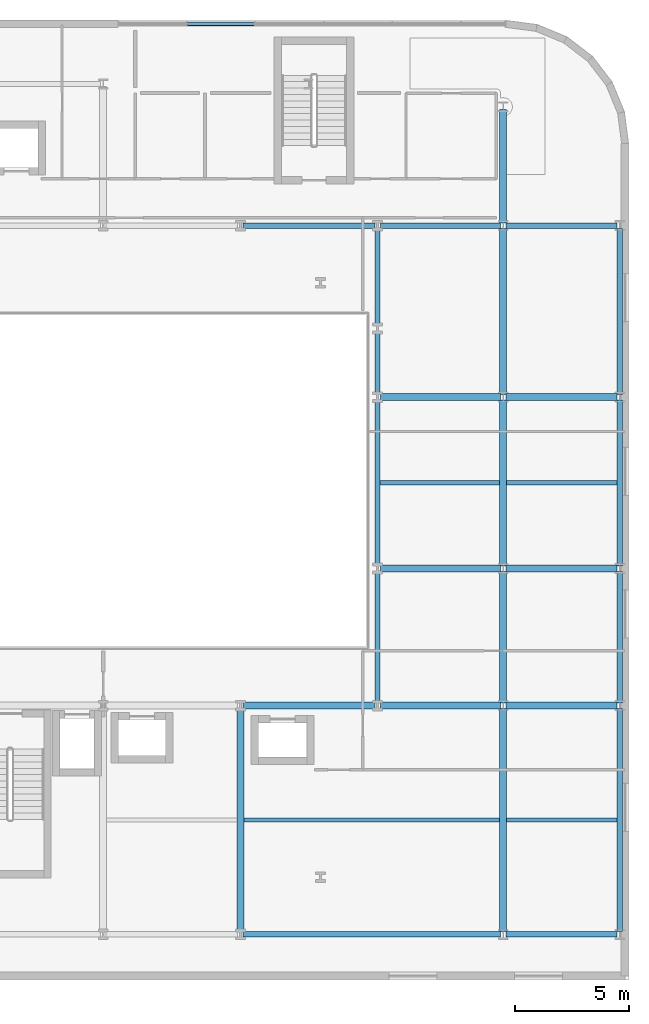
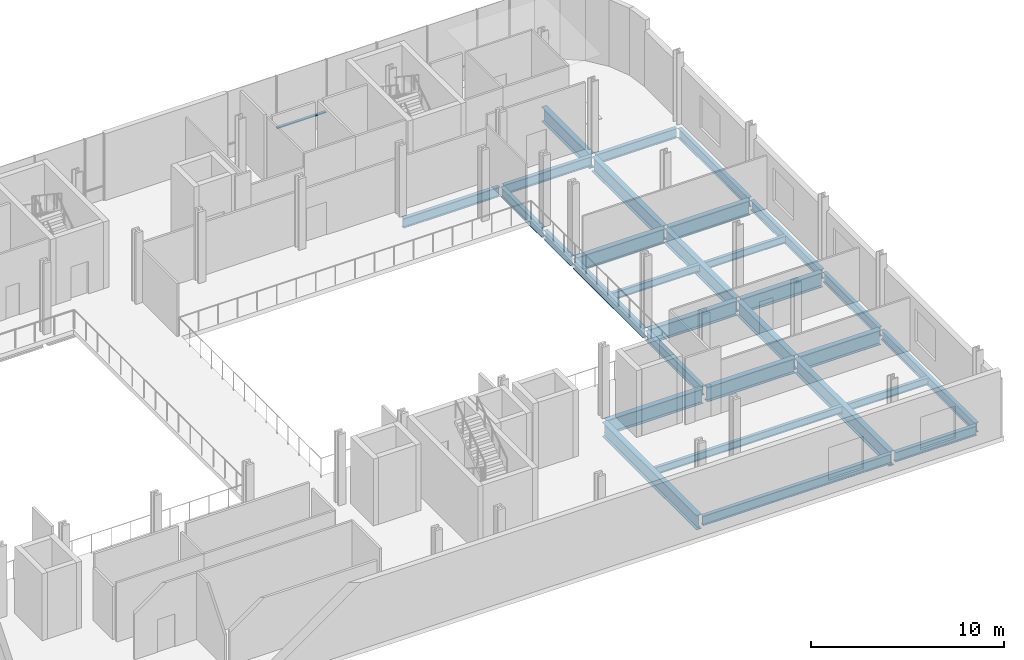
# One storey, part 11 of 25: 30 beams, 1 member, 1 element without a shape of its own.
"""IFC4 building model written with IfcOpenShell, lengths in metres."""

from ifc_helpers import new_model, si_unit, direction, frame, origin, origin_2d, place, context, subcontext, project, spatial, hollow_rectangle, i_section, extrude, material, layer, layer_set, material_profile, profile_set, type_object, element, aggregate, save


model = new_model("IFC4")

# Units and contexts
model_context = context("Model", 3, precision=1e-05, world=origin(), true_north=direction((0.0, 1.0)))
body_context = subcontext(model_context, "Body", "Model", "MODEL_VIEW")
ifc_project = project(units=[si_unit("LENGTHUNIT", "METRE"), si_unit("AREAUNIT", "SQUARE_METRE"), si_unit("VOLUMEUNIT", "CUBIC_METRE"), si_unit("PLANEANGLEUNIT", "RADIAN"), si_unit("MASSUNIT", "GRAM", prefix="KILO")], contexts=[model_context])

# Site, building, storey
site_placement = place(None, origin())
site = spatial("IfcSite", under=ifc_project, at=site_placement, CompositionType="ELEMENT")
building_placement = place(site_placement, origin())
building = spatial("IfcBuilding", under=site, at=building_placement, Name="Brevholm Reach", CompositionType="ELEMENT")
storey_placement = place(building_placement, frame((0.0, 0.0, 9.0)))
storey = spatial("IfcBuildingStorey", under=building, at=storey_placement, Name="L02", CompositionType="ELEMENT", Elevation=9.0)

# Beams
ifc_material_1 = material(Name="Structural Steel S355J2", Category="steel")
ifc_material_profile_1 = material_profile(ifc_material_1, i_section(OverallWidth=0.1904296875, OverallDepth=0.45703125, WebThickness=0.009033203125, FlangeThickness=0.014404296875, FilletRadius=0.01025390625, at=origin_2d()), Name="UKB 457x191x74")
ifc_profile_set_1 = profile_set([ifc_material_profile_1], Name="Structural Steel S355J2")
beam_type_1 = type_object("IfcBeamType", Name="BM-B457", PredefinedType="BEAM", material=ifc_profile_set_1)
beam_1_placement = place(storey_placement, frame((54.15380859375, 5.0, -0.508544921875), z_axis=(1.0, 0.0, 0.0), x_axis=(0.0, 1.0, 0.0)))
element("IfcBeam", 1, at=beam_1_placement, inside=storey, type_object=beam_type_1, Name="L02 Composite Secondary Floor Beam", PredefinedType="BEAM", context=body_context, shape_type="SweptSolid", body=[
    extrude(i_section(OverallWidth=0.1904296875, OverallDepth=0.45703125, WebThickness=0.009033203125, FlangeThickness=0.014404296875, FilletRadius=0.01025390625, at=origin_2d()), origin(), (0.0, 0.0, 1.0), 11.1923828125),
])
beam_2_placement = place(storey_placement, frame((65.65380859375, 5.0, -0.508544921875), z_axis=(1.0, 0.0, 0.0), x_axis=(0.0, 1.0, 0.0)))
element("IfcBeam", 2, at=beam_2_placement, inside=storey, type_object=beam_type_1, Name="L02 Composite Secondary Floor Beam", PredefinedType="BEAM", context=body_context, shape_type="SweptSolid", body=[
    extrude(i_section(OverallWidth=0.1904296875, OverallDepth=0.45703125, WebThickness=0.009033203125, FlangeThickness=0.014404296875, FilletRadius=0.01025390625, at=origin_2d()), origin(), (0.0, 0.0, 1.0), 4.831787109375),
])
beam_3_placement = place(storey_placement, frame((60.114501953125, 19.75, -0.508544921875), z_axis=(1.0, 0.0, 0.0), x_axis=(0.0, 1.0, 0.0)))
element("IfcBeam", 3, at=beam_3_placement, inside=storey, type_object=beam_type_1, Name="L02 Composite Secondary Floor Beam", PredefinedType="BEAM", context=body_context, shape_type="SweptSolid", body=[
    extrude(i_section(OverallWidth=0.1904296875, OverallDepth=0.45703125, WebThickness=0.009033203125, FlangeThickness=0.014404296875, FilletRadius=0.01025390625, at=origin_2d()), origin(), (0.0, 0.0, 1.0), 5.231689453125),
])
beam_4_placement = place(storey_placement, frame((65.65380859375, 19.75, -0.508544921875), z_axis=(1.0, 0.0, 0.0), x_axis=(0.0, 1.0, 0.0)))
element("IfcBeam", 4, at=beam_4_placement, inside=storey, type_object=beam_type_1, Name="L02 Composite Secondary Floor Beam", PredefinedType="BEAM", context=body_context, shape_type="SweptSolid", body=[
    extrude(i_section(OverallWidth=0.1904296875, OverallDepth=0.45703125, WebThickness=0.009033203125, FlangeThickness=0.014404296875, FilletRadius=0.01025390625, at=origin_2d()), origin(), (0.0, 0.0, 1.0), 4.831787109375),
])
ifc_material_2 = material(Name="Structural Steel S355J2", Category="steel")
ifc_material_profile_2 = material_profile(ifc_material_2, i_section(OverallWidth=0.22900390625, OverallDepth=0.6123046875, WebThickness=0.011962890625, FlangeThickness=0.01953125, FilletRadius=0.0126953125, at=origin_2d()), Name="UKB 610x229x125")
ifc_profile_set_2 = profile_set([ifc_material_profile_2], Name="Structural Steel S355J2")
beam_type_2 = type_object("IfcBeamType", Name="BM-SP610", PredefinedType="SPANDREL", material=ifc_profile_set_2)
beam_5_placement = place(storey_placement, frame((54.1201171875, 0.0, -0.586181640625), z_axis=(1.0, 0.0, 0.0), x_axis=(0.0, 1.0, 0.0)))
element("IfcBeam", 5, at=beam_5_placement, inside=storey, type_object=beam_type_2, Name="L02 SP-01 Framing Beam", PredefinedType="SPANDREL", context=body_context, shape_type="SweptSolid", body=[
    extrude(i_section(OverallWidth=0.22900390625, OverallDepth=0.6123046875, WebThickness=0.011962890625, FlangeThickness=0.01953125, FilletRadius=0.0126953125, at=origin_2d()), origin(), (0.0, 0.0, 1.0), 11.259765625),
])
beam_6_placement = place(storey_placement, frame((65.6201171875, 0.0, -0.586181640625), z_axis=(1.0, 0.0, 0.0), x_axis=(0.0, 1.0, 0.0)))
element("IfcBeam", 6, at=beam_6_placement, inside=storey, type_object=beam_type_2, Name="L02 SP-01 Framing Beam", PredefinedType="SPANDREL", context=body_context, shape_type="SweptSolid", body=[
    extrude(i_section(OverallWidth=0.22900390625, OverallDepth=0.6123046875, WebThickness=0.011962890625, FlangeThickness=0.01953125, FilletRadius=0.0126953125, at=origin_2d()), origin(), (0.0, 0.0, 1.0), 4.85986328125),
])
beam_7_placement = place(storey_placement, frame((54.1201171875, 31.0, -0.586181640625), z_axis=(1.0, 0.0, 0.0), x_axis=(0.0, 1.0, 0.0)))
element("IfcBeam", 7, at=beam_7_placement, inside=storey, type_object=beam_type_2, Name="L02 SP-01 Framing Beam", PredefinedType="SPANDREL", context=body_context, shape_type="SweptSolid", body=[
    extrude(i_section(OverallWidth=0.22900390625, OverallDepth=0.6123046875, WebThickness=0.011962890625, FlangeThickness=0.01953125, FilletRadius=0.0126953125, at=origin_2d()), origin(), (0.0, 0.0, 1.0), 5.759765625),
])
beam_8_placement = place(storey_placement, frame((60.1201171875, 31.0, -0.586181640625), z_axis=(1.0, 0.0, 0.0), x_axis=(0.0, 1.0, 0.0)))
element("IfcBeam", 8, at=beam_8_placement, inside=storey, type_object=beam_type_2, Name="L02 SP-01 Framing Beam", PredefinedType="SPANDREL", context=body_context, shape_type="SweptSolid", body=[
    extrude(i_section(OverallWidth=0.22900390625, OverallDepth=0.6123046875, WebThickness=0.011962890625, FlangeThickness=0.01953125, FilletRadius=0.0126953125, at=origin_2d()), origin(), (0.0, 0.0, 1.0), 5.259765625),
])
beam_9_placement = place(storey_placement, frame((65.6201171875, 31.0, -0.586181640625), z_axis=(1.0, 0.0, 0.0), x_axis=(0.0, 1.0, 0.0)))
element("IfcBeam", 9, at=beam_9_placement, inside=storey, type_object=beam_type_2, Name="L02 SP-01 Framing Beam", PredefinedType="SPANDREL", context=body_context, shape_type="SweptSolid", body=[
    extrude(i_section(OverallWidth=0.22900390625, OverallDepth=0.6123046875, WebThickness=0.011962890625, FlangeThickness=0.01953125, FilletRadius=0.0126953125, at=origin_2d()), origin(), (0.0, 0.0, 1.0), 4.85986328125),
])
beam_10_placement = place(storey_placement, frame((60.0, 10.1201171875, -0.586181640625), z_axis=(0.0, 1.0, 0.0), x_axis=(-1.0, 0.0, 0.0)))
element("IfcBeam", 10, at=beam_10_placement, inside=storey, type_object=beam_type_2, Name="L02 SP-01 Framing Beam", PredefinedType="SPANDREL", context=body_context, shape_type="SweptSolid", body=[
    extrude(i_section(OverallWidth=0.22900390625, OverallDepth=0.6123046875, WebThickness=0.011962890625, FlangeThickness=0.01953125, FilletRadius=0.0126953125, at=origin_2d()), origin(), (0.0, 0.0, 1.0), 5.759765625),
])
beam_11_placement = place(storey_placement, frame((60.0, 16.1201171875, -0.586181640625), z_axis=(0.0, 1.0, 0.0), x_axis=(-1.0, 0.0, 0.0)))
element("IfcBeam", 11, at=beam_11_placement, inside=storey, type_object=beam_type_2, Name="L02 SP-01 Framing Beam", PredefinedType="SPANDREL", context=body_context, shape_type="SweptSolid", body=[
    extrude(i_section(OverallWidth=0.22900390625, OverallDepth=0.6123046875, WebThickness=0.011962890625, FlangeThickness=0.01953125, FilletRadius=0.0126953125, at=origin_2d()), origin(), (0.0, 0.0, 1.0), 7.259765625),
])
beam_12_placement = place(storey_placement, frame((60.0, 23.6201171875, -0.586181640625), z_axis=(0.0, 1.0, 0.0), x_axis=(-1.0, 0.0, 0.0)))
element("IfcBeam", 12, at=beam_12_placement, inside=storey, type_object=beam_type_2, Name="L02 SP-01 Framing Beam", PredefinedType="SPANDREL", context=body_context, shape_type="SweptSolid", body=[
    extrude(i_section(OverallWidth=0.22900390625, OverallDepth=0.6123046875, WebThickness=0.011962890625, FlangeThickness=0.01953125, FilletRadius=0.0126953125, at=origin_2d()), origin(), (0.0, 0.0, 1.0), 2.759765625),
])
beam_13_placement = place(storey_placement, frame((60.0, 26.6201171875, -0.586181640625), z_axis=(0.0, 1.0, 0.0), x_axis=(-1.0, 0.0, 0.0)))
element("IfcBeam", 13, at=beam_13_placement, inside=storey, type_object=beam_type_2, Name="L02 SP-01 Framing Beam", PredefinedType="SPANDREL", context=body_context, shape_type="SweptSolid", body=[
    extrude(i_section(OverallWidth=0.22900390625, OverallDepth=0.6123046875, WebThickness=0.011962890625, FlangeThickness=0.01953125, FilletRadius=0.0126953125, at=origin_2d()), origin(), (0.0, 0.0, 1.0), 4.259765625),
])
beam_14_placement = place(storey_placement, frame((70.60009765625, 0.1201171875, -0.586181640625), z_axis=(0.0, 1.0, 0.0), x_axis=(-1.0, 0.0, 0.0)))
element("IfcBeam", 14, at=beam_14_placement, inside=storey, type_object=beam_type_2, Name="L02 SP-01 Framing Beam", PredefinedType="SPANDREL", context=body_context, shape_type="SweptSolid", body=[
    extrude(i_section(OverallWidth=0.22900390625, OverallDepth=0.6123046875, WebThickness=0.011962890625, FlangeThickness=0.01953125, FilletRadius=0.0126953125, at=origin_2d()), origin(), (0.0, 0.0, 1.0), 9.759765625),
])
beam_15_placement = place(storey_placement, frame((70.60009765625, 10.1201171875, -0.586181640625), z_axis=(0.0, 1.0, 0.0), x_axis=(-1.0, 0.0, 0.0)))
element("IfcBeam", 15, at=beam_15_placement, inside=storey, type_object=beam_type_2, Name="L02 SP-01 Framing Beam", PredefinedType="SPANDREL", context=body_context, shape_type="SweptSolid", body=[
    extrude(i_section(OverallWidth=0.22900390625, OverallDepth=0.6123046875, WebThickness=0.011962890625, FlangeThickness=0.01953125, FilletRadius=0.0126953125, at=origin_2d()), origin(), (0.0, 0.0, 1.0), 5.759765625),
])
for number, where, z_axis, x_axis, name in (
    (16, (70.60009765625, 16.1201171875, -0.586181640625), (0.0, 1.0, 0.0), (-1.0, 0.0, 0.0), "L02 SP-01 Framing Beam"),
    (17, (70.60009765625, 23.6201171875, -0.586181640625), (0.0, 1.0, 0.0), (-1.0, 0.0, 0.0), "L02 SP-01 Framing Beam"),
):
    element("IfcBeam", number, at=place(storey_placement, frame(where, z_axis=z_axis, x_axis=x_axis)), inside=storey, type_object=beam_type_2, Name=name, PredefinedType="SPANDREL", context=body_context, shape_type="SweptSolid", body=[
        extrude(i_section(OverallWidth=0.22900390625, OverallDepth=0.6123046875, WebThickness=0.011962890625, FlangeThickness=0.01953125, FilletRadius=0.0126953125, at=origin_2d()), origin(), (0.0, 0.0, 1.0), 7.259765625),
    ])
ifc_material_3 = material(Name="Structural Steel S460ML", Category="steel")
ifc_material_profile_3 = material_profile(ifc_material_3, i_section(OverallWidth=0.3076171875, OverallDepth=0.926513671875, WebThickness=0.01953125, FlangeThickness=0.031982421875, FilletRadius=0.01904296875, at=origin_2d()), Name="UKB 914x305x289")
ifc_profile_set_3 = profile_set([ifc_material_profile_3], Name="Structural Steel S460ML")
beam_type_3 = type_object("IfcBeamType", Name="BM-UKB914B", PredefinedType="USERDEFINED", material=ifc_profile_set_3)
beam_16_placement = place(storey_placement, frame((54.1201171875, 10.0, -0.743408203125), z_axis=(1.0, 0.0, 0.0), x_axis=(0.0, 1.0, 0.0)))
element("IfcBeam", 18, at=beam_16_placement, inside=storey, type_object=beam_type_3, Name="L02 G-02B Framing Beam", ObjectType="GIRDER", PredefinedType="USERDEFINED", context=body_context, shape_type="SweptSolid", body=[
    extrude(i_section(OverallWidth=0.3076171875, OverallDepth=0.926513671875, WebThickness=0.01953125, FlangeThickness=0.031982421875, FilletRadius=0.01904296875, at=origin_2d()), origin(), (0.0, 0.0, 1.0), 5.759765625),
])
beam_17_placement = place(storey_placement, frame((60.1201171875, 10.0, -0.743408203125), z_axis=(1.0, 0.0, 0.0), x_axis=(0.0, 1.0, 0.0)))
element("IfcBeam", 19, at=beam_17_placement, inside=storey, type_object=beam_type_3, Name="L02 G-02B Framing Beam", ObjectType="GIRDER", PredefinedType="USERDEFINED", context=body_context, shape_type="SweptSolid", body=[
    extrude(i_section(OverallWidth=0.3076171875, OverallDepth=0.926513671875, WebThickness=0.01953125, FlangeThickness=0.031982421875, FilletRadius=0.01904296875, at=origin_2d()), origin(), (0.0, 0.0, 1.0), 5.259765625),
])
beam_18_placement = place(storey_placement, frame((65.6201171875, 10.0, -0.743408203125), z_axis=(1.0, 0.0, 0.0), x_axis=(0.0, 1.0, 0.0)))
element("IfcBeam", 20, at=beam_18_placement, inside=storey, type_object=beam_type_3, Name="L02 G-02B Framing Beam", ObjectType="GIRDER", PredefinedType="USERDEFINED", context=body_context, shape_type="SweptSolid", body=[
    extrude(i_section(OverallWidth=0.3076171875, OverallDepth=0.926513671875, WebThickness=0.01953125, FlangeThickness=0.031982421875, FilletRadius=0.01904296875, at=origin_2d()), origin(), (0.0, 0.0, 1.0), 4.85986328125),
])
beam_19_placement = place(storey_placement, frame((60.1201171875, 16.0, -0.743408203125), z_axis=(1.0, 0.0, 0.0), x_axis=(0.0, 1.0, 0.0)))
element("IfcBeam", 21, at=beam_19_placement, inside=storey, type_object=beam_type_3, Name="L02 G-02B Framing Beam", ObjectType="GIRDER", PredefinedType="USERDEFINED", context=body_context, shape_type="SweptSolid", body=[
    extrude(i_section(OverallWidth=0.3076171875, OverallDepth=0.926513671875, WebThickness=0.01953125, FlangeThickness=0.031982421875, FilletRadius=0.01904296875, at=origin_2d()), origin(), (0.0, 0.0, 1.0), 5.259765625),
])
beam_20_placement = place(storey_placement, frame((65.6201171875, 16.0, -0.743408203125), z_axis=(1.0, 0.0, 0.0), x_axis=(0.0, 1.0, 0.0)))
element("IfcBeam", 22, at=beam_20_placement, inside=storey, type_object=beam_type_3, Name="L02 G-02B Framing Beam", ObjectType="GIRDER", PredefinedType="USERDEFINED", context=body_context, shape_type="SweptSolid", body=[
    extrude(i_section(OverallWidth=0.3076171875, OverallDepth=0.926513671875, WebThickness=0.01953125, FlangeThickness=0.031982421875, FilletRadius=0.01904296875, at=origin_2d()), origin(), (0.0, 0.0, 1.0), 4.85986328125),
])
beam_21_placement = place(storey_placement, frame((60.1201171875, 23.5, -0.743408203125), z_axis=(1.0, 0.0, 0.0), x_axis=(0.0, 1.0, 0.0)))
element("IfcBeam", 23, at=beam_21_placement, inside=storey, type_object=beam_type_3, Name="L02 G-02B Framing Beam", ObjectType="GIRDER", PredefinedType="USERDEFINED", context=body_context, shape_type="SweptSolid", body=[
    extrude(i_section(OverallWidth=0.3076171875, OverallDepth=0.926513671875, WebThickness=0.01953125, FlangeThickness=0.031982421875, FilletRadius=0.01904296875, at=origin_2d()), origin(), (0.0, 0.0, 1.0), 5.259765625),
])
beam_22_placement = place(storey_placement, frame((65.6201171875, 23.5, -0.743408203125), z_axis=(1.0, 0.0, 0.0), x_axis=(0.0, 1.0, 0.0)))
element("IfcBeam", 24, at=beam_22_placement, inside=storey, type_object=beam_type_3, Name="L02 G-02B Framing Beam", ObjectType="GIRDER", PredefinedType="USERDEFINED", context=body_context, shape_type="SweptSolid", body=[
    extrude(i_section(OverallWidth=0.3076171875, OverallDepth=0.926513671875, WebThickness=0.01953125, FlangeThickness=0.031982421875, FilletRadius=0.01904296875, at=origin_2d()), origin(), (0.0, 0.0, 1.0), 4.85986328125),
])
for number, where, z_axis, x_axis, name in (
    (25, (54.0, 0.1201171875, -0.743408203125), (0.0, 1.0, 0.0), (-1.0, 0.0, 0.0), "L02 G-02B Framing Beam"),
    (26, (65.5, 0.1201171875, -0.743408203125), (0.0, 1.0, 0.0), (-1.0, 0.0, 0.0), "L02 G-02B Framing Beam"),
):
    element("IfcBeam", number, at=place(storey_placement, frame(where, z_axis=z_axis, x_axis=x_axis)), inside=storey, type_object=beam_type_3, Name=name, ObjectType="GIRDER", PredefinedType="USERDEFINED", context=body_context, shape_type="SweptSolid", body=[
        extrude(i_section(OverallWidth=0.3076171875, OverallDepth=0.926513671875, WebThickness=0.01953125, FlangeThickness=0.031982421875, FilletRadius=0.01904296875, at=origin_2d()), origin(), (0.0, 0.0, 1.0), 9.759765625),
    ])
beam_23_placement = place(storey_placement, frame((65.5, 10.1201171875, -0.743408203125), z_axis=(0.0, 1.0, 0.0), x_axis=(-1.0, 0.0, 0.0)))
element("IfcBeam", 27, at=beam_23_placement, inside=storey, type_object=beam_type_3, Name="L02 G-02B Framing Beam", ObjectType="GIRDER", PredefinedType="USERDEFINED", context=body_context, shape_type="SweptSolid", body=[
    extrude(i_section(OverallWidth=0.3076171875, OverallDepth=0.926513671875, WebThickness=0.01953125, FlangeThickness=0.031982421875, FilletRadius=0.01904296875, at=origin_2d()), origin(), (0.0, 0.0, 1.0), 5.759765625),
])
for number, where, z_axis, x_axis, name in (
    (28, (65.5, 16.1201171875, -0.743408203125), (0.0, 1.0, 0.0), (-1.0, 0.0, 0.0), "L02 G-02B Framing Beam"),
    (29, (65.5, 23.6201171875, -0.743408203125), (0.0, 1.0, 0.0), (-1.0, 0.0, 0.0), "L02 G-02B Framing Beam"),
):
    element("IfcBeam", number, at=place(storey_placement, frame(where, z_axis=z_axis, x_axis=x_axis)), inside=storey, type_object=beam_type_3, Name=name, ObjectType="GIRDER", PredefinedType="USERDEFINED", context=body_context, shape_type="SweptSolid", body=[
        extrude(i_section(OverallWidth=0.3076171875, OverallDepth=0.926513671875, WebThickness=0.01953125, FlangeThickness=0.031982421875, FilletRadius=0.01904296875, at=origin_2d()), origin(), (0.0, 0.0, 1.0), 7.259765625),
    ])
beam_24_placement = place(storey_placement, frame((65.5, 31.1201171875, -0.743408203125), z_axis=(0.0, 1.0, 0.0), x_axis=(-1.0, 0.0, 0.0)))
element("IfcBeam", 30, at=beam_24_placement, inside=storey, type_object=beam_type_3, Name="L02 G-02B Framing Beam", ObjectType="GIRDER", PredefinedType="USERDEFINED", context=body_context, shape_type="SweptSolid", body=[
    extrude(i_section(OverallWidth=0.3076171875, OverallDepth=0.926513671875, WebThickness=0.01953125, FlangeThickness=0.031982421875, FilletRadius=0.01904296875, at=origin_2d()), origin(), (0.0, 0.0, 1.0), 4.9599609375),
])

# Curtain wall, member
ifc_material_4 = material(Name="Dark Anodised Aluminium 6063-T6 and Solar-Control Glass", Category="aluminium")
ifc_layer = layer(ifc_material_4, 0.1650390625)
ifc_layer_set = layer_set([ifc_layer], Name="Dark Anodised Aluminium 6063-T6 and Solar-Control Glass")
curtain_wall_type = type_object("IfcCurtainWallType", Name="CW-03", PredefinedType="NOTDEFINED", material=ifc_layer_set)
curtain_wall_placement = place(storey_placement, origin())
curtain_wall = element("IfcCurtainWall", 31, at=curtain_wall_placement, inside=storey, type_object=curtain_wall_type, Name="L02 Curtain Wall CW-03", PredefinedType="NOTDEFINED")
ifc_material_5 = material(Name="Dark Anodised Aluminium 6063-T6", Category="aluminium")
ifc_material_profile_4 = material_profile(ifc_material_5, hollow_rectangle(XDim=0.070068359375, YDim=0.1650390625, WallThickness=0.0048828125, InnerFilletRadius=0.0048828125, OuterFilletRadius=0.010009765625, at=origin_2d()), Name="RHS 165x70x5")
ifc_profile_set_4 = profile_set([ifc_material_profile_4], Name="Dark Anodised Aluminium 6063-T6")
member_type = type_object("IfcMemberType", Name="CWT-165", PredefinedType="NOTDEFINED", material=ifc_profile_set_4)
member_placement = place(storey_placement, frame((51.68505859375, 39.830078125, 0.89990234375), z_axis=(1.0, 0.0, 0.0), x_axis=(0.0, 0.0, 1.0)))
member = element("IfcMember", 32, at=member_placement, type_object=member_type, Name="CT-165 Transom 2.1", ObjectType="TRANSOM", PredefinedType="USERDEFINED", context=body_context, shape_type="SweptSolid", body=[
    extrude(hollow_rectangle(XDim=0.070068359375, YDim=0.1650390625, WallThickness=0.0048828125, InnerFilletRadius=0.0048828125, OuterFilletRadius=0.010009765625, at=origin_2d()), origin(), (0.0, 0.0, 1.0), 2.929931640625),
])
aggregate(curtain_wall, [member])

save(model, "model.ifc")
